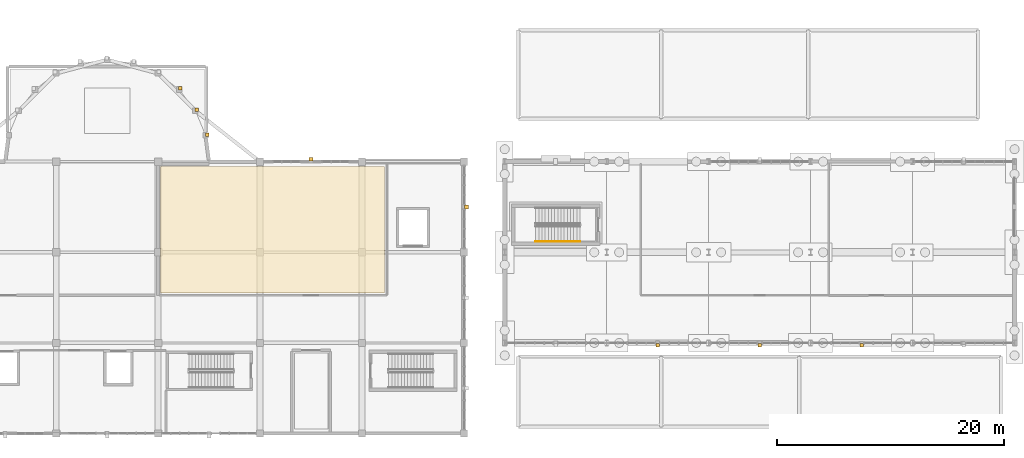
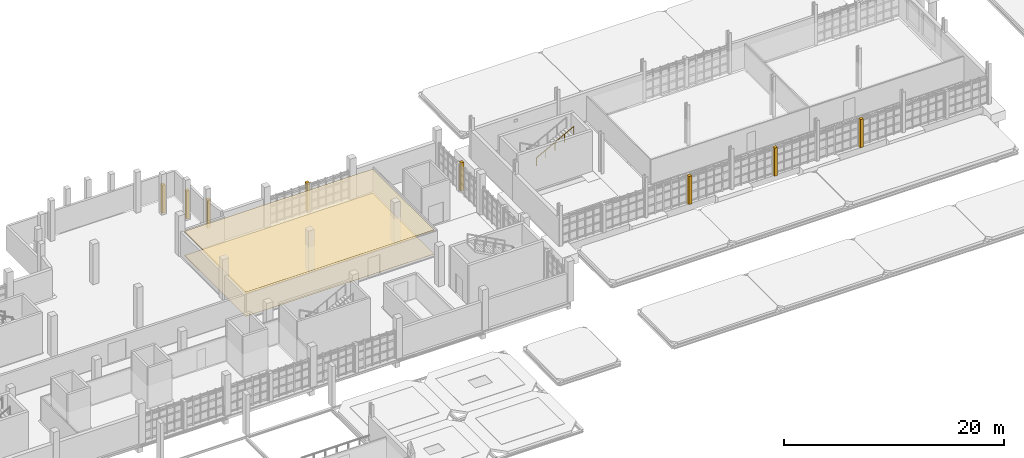
# One storey, part 119 of 125: 10 coverings, 1 railing.
"""IFC4 building model written with IfcOpenShell, lengths in metres."""

from ifc_helpers import new_model, si_unit, direction, frame, origin, origin_2d, place, context, subcontext, project, spatial, polyline, circle, outline, extrude, material, layer, layer_set, type_object, element, save


model = new_model("IFC4")

# Units and contexts
model_context = context("Model", 3, precision=1e-05, world=origin(), true_north=direction((0.0, 1.0)))
body_context = subcontext(model_context, "Body", "Model", "MODEL_VIEW")
ifc_project = project(units=[si_unit("LENGTHUNIT", "METRE"), si_unit("AREAUNIT", "SQUARE_METRE"), si_unit("VOLUMEUNIT", "CUBIC_METRE"), si_unit("PLANEANGLEUNIT", "RADIAN"), si_unit("MASSUNIT", "GRAM", prefix="KILO")], contexts=[model_context])

# Site, building, storey
site_placement = place(None, origin())
site = spatial("IfcSite", under=ifc_project, at=site_placement, CompositionType="ELEMENT")
building_placement = place(site_placement, origin())
building = spatial("IfcBuilding", under=site, at=building_placement, Name="Serraforn Aerial Cableway Station", CompositionType="ELEMENT")
storey_placement = place(building_placement, frame((0.0, 0.0, 4.5)))
storey = spatial("IfcBuildingStorey", under=building, at=storey_placement, Name="L01", CompositionType="ELEMENT", Elevation=4.5)

# Coverings
ifc_material_1 = material(Name="Fluted patinated bronze Art Deco pilaster cladding")
ifc_layer_1 = layer(ifc_material_1, 0.034912109375)
ifc_layer_set_1 = layer_set([ifc_layer_1], Name="Fluted patinated bronze Art Deco pilaster cladding")
covering_type_1 = type_object("IfcCoveringType", Name="COV-CLAD-BRZ", PredefinedType="CLADDING", material=ifc_layer_set_1)
covering_1_placement = place(storey_placement, origin())
element("IfcCovering", 1, at=covering_1_placement, inside=storey, type_object=covering_type_1, Name="Art Deco Bronze Pilaster Cladding CV-L01-N6", PredefinedType="CLADDING", context=body_context, shape_type="SweptSolid", body=[
    extrude(outline(polyline([(76.93994140625, 42.06005859375), (77.260009765625, 42.06005859375), (77.260009765625, 42.3798828125), (76.93994140625, 42.3798828125), (76.93994140625, 42.06005859375)])), origin(), (0.0, 0.0, 1.0), 3.1201171875),
])
covering_2_placement = place(storey_placement, origin())
element("IfcCovering", 2, at=covering_2_placement, inside=storey, type_object=covering_type_1, Name="Art Deco Bronze Pilaster Cladding CV-L01-E3", PredefinedType="CLADDING", context=body_context, shape_type="SweptSolid", body=[
    extrude(outline(polyline([(90.659912109375, 37.840087890625), (90.97998046875, 37.840087890625), (90.97998046875, 38.159912109375), (90.659912109375, 38.159912109375), (90.659912109375, 37.840087890625)])), origin(), (0.0, 0.0, 1.0), 3.1201171875),
])
covering_3_placement = place(storey_placement, origin())
element("IfcCovering", 3, at=covering_3_placement, inside=storey, type_object=covering_type_1, Name="Art Deco Bronze Pilaster Cladding AP-L01-R9", PredefinedType="CLADDING", context=body_context, shape_type="SweptSolid", body=[
    extrude(outline(polyline([(65.3984375, 48.326904296875), (65.718505859375, 48.326904296875), (65.718505859375, 48.64697265625), (65.3984375, 48.64697265625), (65.3984375, 48.326904296875)])), origin(), (0.0, 0.0, 1.0), 3.1201171875),
])
covering_4_placement = place(storey_placement, origin())
element("IfcCovering", 4, at=covering_4_placement, inside=storey, type_object=covering_type_1, Name="Art Deco Bronze Pilaster Cladding AP-L01-R10", PredefinedType="CLADDING", context=body_context, shape_type="SweptSolid", body=[
    extrude(outline(polyline([(66.857177734375, 46.434326171875), (67.17724609375, 46.434326171875), (67.17724609375, 46.75439453125), (66.857177734375, 46.75439453125), (66.857177734375, 46.434326171875)])), origin(), (0.0, 0.0, 1.0), 3.1201171875),
])
covering_5_placement = place(storey_placement, origin())
element("IfcCovering", 5, at=covering_5_placement, inside=storey, type_object=covering_type_1, Name="Art Deco Bronze Pilaster Cladding AP-L01-R11", PredefinedType="CLADDING", context=body_context, shape_type="SweptSolid", body=[
    extrude(outline(polyline([(67.776611328125, 44.228759765625), (68.096435546875, 44.228759765625), (68.096435546875, 44.548583984375), (67.776611328125, 44.548583984375), (67.776611328125, 44.228759765625)])), origin(), (0.0, 0.0, 1.0), 3.1201171875),
])
covering_6_placement = place(storey_placement, origin())
element("IfcCovering", 6, at=covering_6_placement, inside=storey, type_object=covering_type_1, Name="Art Deco Bronze Pilaster Cladding EL-L01-S2", PredefinedType="CLADDING", context=body_context, shape_type="SweptSolid", body=[
    extrude(outline(polyline([(107.5400390625, 25.6201171875), (107.860107421875, 25.6201171875), (107.860107421875, 25.93994140625), (107.5400390625, 25.93994140625), (107.5400390625, 25.6201171875)])), origin(), (0.0, 0.0, 1.0), 3.1201171875),
])
covering_7_placement = place(storey_placement, origin())
element("IfcCovering", 7, at=covering_7_placement, inside=storey, type_object=covering_type_1, Name="Art Deco Bronze Pilaster Cladding EL-L01-S3", PredefinedType="CLADDING", context=body_context, shape_type="SweptSolid", body=[
    extrude(outline(polyline([(116.5400390625, 25.6201171875), (116.860107421875, 25.6201171875), (116.860107421875, 25.93994140625), (116.5400390625, 25.93994140625), (116.5400390625, 25.6201171875)])), origin(), (0.0, 0.0, 1.0), 3.1201171875),
])
covering_8_placement = place(storey_placement, origin())
element("IfcCovering", 8, at=covering_8_placement, inside=storey, type_object=covering_type_1, Name="Art Deco Bronze Pilaster Cladding EL-L01-S4", PredefinedType="CLADDING", context=body_context, shape_type="SweptSolid", body=[
    extrude(outline(polyline([(125.5400390625, 25.6201171875), (125.860107421875, 25.6201171875), (125.860107421875, 25.93994140625), (125.5400390625, 25.93994140625), (125.5400390625, 25.6201171875)])), origin(), (0.0, 0.0, 1.0), 3.1201171875),
])
ifc_material_2 = material(Name="Perforated acoustic mineral ceiling")
ifc_layer_2 = layer(ifc_material_2, 0.02490234375)
ifc_layer_set_2 = layer_set([ifc_layer_2], Name="Perforated acoustic mineral ceiling")
covering_type_2 = type_object("IfcCoveringType", Name="COV-CLG-AC", PredefinedType="CEILING", material=ifc_layer_set_2)
covering_9_placement = place(storey_placement, frame((0.0, 0.0, 2.659912109375)))
element("IfcCovering", 9, at=covering_9_placement, inside=storey, type_object=covering_type_2, Name="Suspended Ceiling L01-07", PredefinedType="CEILING", context=body_context, shape_type="SweptSolid", body=[
    extrude(outline(polyline([(63.820068359375, 30.419921875), (63.820068359375, 41.580078125), (83.580078125, 41.580078125), (83.580078125, 30.419921875), (63.820068359375, 30.419921875)])), origin(), (0.0, 0.0, 1.0), 0.025146484375),
])
ifc_material_3 = material(Name="Heavy-duty non-slip quartz epoxy floor")
ifc_layer_3 = layer(ifc_material_3, 0.014892578125)
ifc_layer_set_3 = layer_set([ifc_layer_3], Name="Heavy-duty non-slip quartz epoxy floor")
covering_type_3 = type_object("IfcCoveringType", Name="COV-FLR-EPOX", PredefinedType="FLOORING", material=ifc_layer_set_3)
covering_10_placement = place(storey_placement, origin())
element("IfcCovering", 10, at=covering_10_placement, inside=storey, type_object=covering_type_3, Name="Flooring L01-07", PredefinedType="FLOORING", context=body_context, shape_type="SweptSolid", body=[
    extrude(outline(polyline([(63.820068359375, 30.419921875), (63.820068359375, 41.580078125), (83.580078125, 41.580078125), (83.580078125, 30.419921875), (63.820068359375, 30.419921875)])), origin(), (0.0, 0.0, 1.0), 0.014892578125),
])

# Railing
ifc_material_4 = material(Name="Brushed bronze tubular handrail")
ifc_layer_4 = layer(ifc_material_4, 0.048095703125)
ifc_layer_set_4 = layer_set([ifc_layer_4], Name="Brushed bronze tubular handrail")
railing_type = type_object("IfcRailingType", Name="RL-STR-HDR", PredefinedType="HANDRAIL", material=ifc_layer_set_4)
railing_placement = place(storey_placement, frame((96.929931640625, 34.949951171875, 2.39990234375)))
element("IfcRailing", 11, at=railing_placement, inside=storey, type_object=railing_type, Name="L01 ST-08 stair handrail 2", PredefinedType="HANDRAIL", context=body_context, shape_type="SweptSolid", body=[
    extrude(circle(Radius=0.02392578125, at=origin_2d()), frame((0.0, 0.0, 0.8759765625), z_axis=(0.881479153919, 0.0, 0.472222935917), x_axis=(0.0, 1.0, 0.0)), (0.0, 0.0, 1.0), 4.447265625),
    extrude(circle(Radius=0.02099609375, at=origin_2d()), origin(), (0.0, 0.0, 1.0), 0.851806640625),
    extrude(circle(Radius=0.02099609375, at=origin_2d()), frame((0.97998046875, 0.0, 0.52490234375)), (0.0, 0.0, 1.0), 0.851806640625),
    extrude(circle(Radius=0.02099609375, at=origin_2d()), frame((1.9599609375, 0.0, 1.050048828125)), (0.0, 0.0, 1.0), 0.851806640625),
    extrude(circle(Radius=0.02099609375, at=origin_2d()), frame((2.940185546875, 0.0, 1.5751953125)), (0.0, 0.0, 1.0), 0.851806640625),
    extrude(circle(Radius=0.02099609375, at=origin_2d()), frame((3.920166015625, 0.0, 2.10009765625)), (0.0, 0.0, 1.0), 0.851806640625),
])

save(model, "model.ifc")
